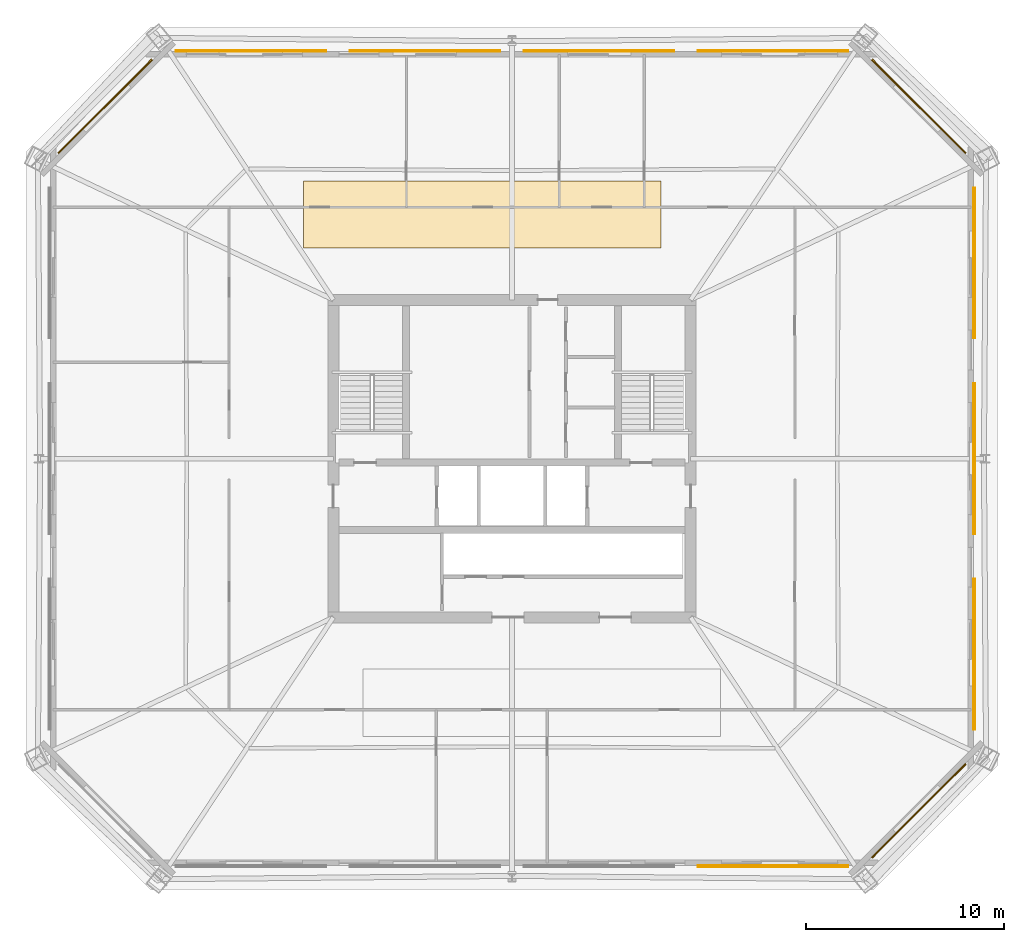
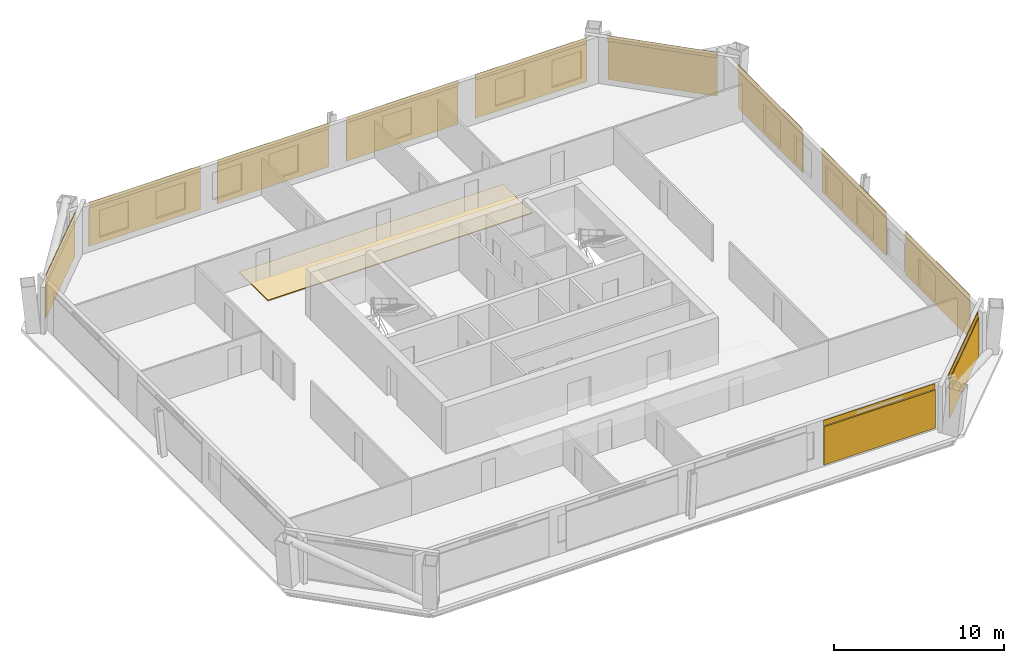
# One storey, part 7 of 7: 12 coverings, 11 shading devices.
"""IFC4 building model written with IfcOpenShell, lengths in metres."""

from ifc_helpers import new_model, si_unit, direction, frame, origin, origin_2d, place, context, subcontext, project, spatial, polyline, rectangle, outline, extrude, material, layer, layer_set, type_object, element, save


model = new_model("IFC4")

# Units and contexts
model_context = context("Model", 3, precision=1e-05, world=origin(), true_north=direction((0.0, 1.0)))
body_context = subcontext(model_context, "Body", "Model", "MODEL_VIEW")
ifc_project = project(units=[si_unit("LENGTHUNIT", "METRE"), si_unit("AREAUNIT", "SQUARE_METRE"), si_unit("VOLUMEUNIT", "CUBIC_METRE"), si_unit("PLANEANGLEUNIT", "RADIAN"), si_unit("MASSUNIT", "GRAM", prefix="KILO")], contexts=[model_context])

# Site, building, storey
site_placement = place(None, origin())
site = spatial("IfcSite", under=ifc_project, at=site_placement, CompositionType="ELEMENT")
building_placement = place(site_placement, origin())
building = spatial("IfcBuilding", under=site, at=building_placement, Name="Caelvoria Tower", CompositionType="ELEMENT")
storey_placement = place(building_placement, frame((0.0, 0.0, 156.39990234375)))
storey = spatial("IfcBuildingStorey", under=building, at=storey_placement, Name="L41", CompositionType="ELEMENT", Elevation=156.39990234375)

# Coverings
ifc_material_1 = material(Name="Perforated Architectural Bronze Cladding Screen", Category="bronze")
ifc_layer_1 = layer(ifc_material_1, 0.0400390625, Name="Perforated Architectural Bronze Cladding Screen")
ifc_layer_set_1 = layer_set([ifc_layer_1], Name="Perforated Bronze Louvre Cladding Band 40 - Perforated Architectural Bronze Cladding Screen")
covering_type_1 = type_object("IfcCoveringType", Name="Perforated Bronze Louvre Cladding Band 40", PredefinedType="CLADDING", material=ifc_layer_set_1)
covering_1_placement = place(storey_placement, frame((59.155029296875, 11.47802734375, 2.940185546875), z_axis=(0.0, 0.0, 1.0), x_axis=(1.0, 0.0, 0.0)))
element("IfcCovering", 1, at=covering_1_placement, inside=storey, type_object=covering_type_1, Name="Perforated Bronze Screen Band L41-E0-03", PredefinedType="CLADDING", context=body_context, shape_type="SweptSolid", body=[
    extrude(rectangle(XDim=7.60009765625, YDim=0.0400390625, at=origin_2d()), origin(), (0.0, 0.0, 1.0), 0.39990234375),
])
covering_2_placement = place(storey_placement, frame((66.481689453125, 14.268310546875, 2.940185546875), z_axis=(0.0, 0.0, 1.0), x_axis=(0.707106781187, 0.707106781187, 0.0)))
element("IfcCovering", 2, at=covering_2_placement, inside=storey, type_object=covering_type_1, Name="Perforated Bronze Screen Band L41-E1-00", PredefinedType="CLADDING", context=body_context, shape_type="SweptSolid", body=[
    extrude(rectangle(XDim=6.6787109375, YDim=0.0400390625, at=origin_2d()), origin(), (0.0, 0.0, 1.0), 0.39990234375),
])
for number, where, z_axis, x_axis, name in (
    (3, (69.27197265625, 22.139892578125, 2.940185546875), (0.0, 0.0, 1.0), (0.0, 1.0, 0.0), "Perforated Bronze Screen Band L41-E2-00"),
    (4, (69.27197265625, 32.0, 2.940185546875), (0.0, 0.0, 1.0), (0.0, 1.0, 0.0), "Perforated Bronze Screen Band L41-E2-01"),
    (5, (69.27197265625, 41.860107421875, 2.940185546875), (0.0, 0.0, 1.0), (0.0, 1.0, 0.0), "Perforated Bronze Screen Band L41-E2-02"),
):
    element("IfcCovering", number, at=place(storey_placement, frame(where, z_axis=z_axis, x_axis=x_axis)), inside=storey, type_object=covering_type_1, Name=name, PredefinedType="CLADDING", context=body_context, shape_type="SweptSolid", body=[
        extrude(rectangle(XDim=7.60009765625, YDim=0.0400390625, at=origin_2d()), origin(), (0.0, 0.0, 1.0), 0.39990234375),
    ])
covering_3_placement = place(storey_placement, frame((66.481689453125, 49.731689453125, 2.940185546875), z_axis=(0.0, 0.0, 1.0), x_axis=(-0.707106781187, 0.707106781187, 0.0)))
element("IfcCovering", 6, at=covering_3_placement, inside=storey, type_object=covering_type_1, Name="Perforated Bronze Screen Band L41-E3-00", PredefinedType="CLADDING", context=body_context, shape_type="SweptSolid", body=[
    extrude(rectangle(XDim=6.6787109375, YDim=0.0400390625, at=origin_2d()), origin(), (0.0, 0.0, 1.0), 0.39990234375),
])
for number, where, z_axis, x_axis, name in (
    (7, (59.155029296875, 52.52197265625, 2.940185546875), (0.0, 0.0, 1.0), (-1.0, 0.0, 0.0), "Perforated Bronze Screen Band L41-E4-00"),
    (8, (50.385009765625, 52.52197265625, 2.940185546875), (0.0, 0.0, 1.0), (-1.0, 0.0, 0.0), "Perforated Bronze Screen Band L41-E4-01"),
    (9, (41.614990234375, 52.52197265625, 2.940185546875), (0.0, 0.0, 1.0), (-1.0, 0.0, 0.0), "Perforated Bronze Screen Band L41-E4-02"),
    (10, (32.844970703125, 52.52197265625, 2.940185546875), (0.0, 0.0, 1.0), (-1.0, 0.0, 0.0), "Perforated Bronze Screen Band L41-E4-03"),
):
    element("IfcCovering", number, at=place(storey_placement, frame(where, z_axis=z_axis, x_axis=x_axis)), inside=storey, type_object=covering_type_1, Name=name, PredefinedType="CLADDING", context=body_context, shape_type="SweptSolid", body=[
        extrude(rectangle(XDim=7.60009765625, YDim=0.0400390625, at=origin_2d()), origin(), (0.0, 0.0, 1.0), 0.39990234375),
    ])
covering_4_placement = place(storey_placement, frame((25.518310546875, 49.731689453125, 2.940185546875), z_axis=(0.0, 0.0, 1.0), x_axis=(-0.707106781187, -0.707106781187, 0.0)))
element("IfcCovering", 11, at=covering_4_placement, inside=storey, type_object=covering_type_1, Name="Perforated Bronze Screen Band L41-E5-00", PredefinedType="CLADDING", context=body_context, shape_type="SweptSolid", body=[
    extrude(rectangle(XDim=6.6787109375, YDim=0.0400390625, at=origin_2d()), origin(), (0.0, 0.0, 1.0), 0.39990234375),
])

# Shading devices
ifc_material_2 = material(Name="Perforated Architectural Bronze Alloy Panel", Category="bronze")
ifc_layer_2 = layer(ifc_material_2, 0.044921875, Name="Perforated Architectural Bronze Alloy Panel")
ifc_layer_set_2 = layer_set([ifc_layer_2], Name="Perforated Bronze Solar Screen Panel SCREEN - Perforated Architectural Bronze Alloy Panel")
shading_device_type = type_object("IfcShadingDeviceType", Name="Perforated Bronze Solar Screen Panel SCREEN", PredefinedType="USERDEFINED", material=ifc_layer_set_2)
shading_device_1_placement = place(storey_placement, frame((59.155029296875, 11.43505859375, 0.16015625), z_axis=(0.0, 0.0, 1.0), x_axis=(1.0, 0.0, 0.0)))
element("IfcShadingDevice", 12, at=shading_device_1_placement, inside=storey, type_object=shading_device_type, Name="Perforated Bronze Solar Screen L41-E0-03", ObjectType="SCREEN", PredefinedType="USERDEFINED", context=body_context, shape_type="SweptSolid", body=[
    extrude(rectangle(XDim=7.60009765625, YDim=0.044921875, at=origin_2d()), origin(), (0.0, 0.0, 1.0), 2.75),
])
shading_device_2_placement = place(storey_placement, frame((66.51220703125, 14.23779296875, 0.16015625), z_axis=(0.0, 0.0, 1.0), x_axis=(0.707106781187, 0.707106781187, 0.0)))
element("IfcShadingDevice", 13, at=shading_device_2_placement, inside=storey, type_object=shading_device_type, Name="Perforated Bronze Solar Screen L41-E1-00", ObjectType="SCREEN", PredefinedType="USERDEFINED", context=body_context, shape_type="SweptSolid", body=[
    extrude(rectangle(XDim=6.6787109375, YDim=0.044921875, at=origin_2d()), origin(), (0.0, 0.0, 1.0), 2.75),
])
for number, where, z_axis, x_axis, name in (
    (14, (69.31494140625, 22.139892578125, 0.16015625), (0.0, 0.0, 1.0), (0.0, 1.0, 0.0), "Perforated Bronze Solar Screen L41-E2-00"),
    (15, (69.31494140625, 32.0, 0.16015625), (0.0, 0.0, 1.0), (0.0, 1.0, 0.0), "Perforated Bronze Solar Screen L41-E2-01"),
    (16, (69.31494140625, 41.860107421875, 0.16015625), (0.0, 0.0, 1.0), (0.0, 1.0, 0.0), "Perforated Bronze Solar Screen L41-E2-02"),
):
    element("IfcShadingDevice", number, at=place(storey_placement, frame(where, z_axis=z_axis, x_axis=x_axis)), inside=storey, type_object=shading_device_type, Name=name, ObjectType="SCREEN", PredefinedType="USERDEFINED", context=body_context, shape_type="SweptSolid", body=[
        extrude(rectangle(XDim=7.60009765625, YDim=0.044921875, at=origin_2d()), origin(), (0.0, 0.0, 1.0), 2.75),
    ])
shading_device_3_placement = place(storey_placement, frame((66.51220703125, 49.76220703125, 0.16015625), z_axis=(0.0, 0.0, 1.0), x_axis=(-0.707106781187, 0.707106781187, 0.0)))
element("IfcShadingDevice", 17, at=shading_device_3_placement, inside=storey, type_object=shading_device_type, Name="Perforated Bronze Solar Screen L41-E3-00", ObjectType="SCREEN", PredefinedType="USERDEFINED", context=body_context, shape_type="SweptSolid", body=[
    extrude(rectangle(XDim=6.6787109375, YDim=0.044921875, at=origin_2d()), origin(), (0.0, 0.0, 1.0), 2.75),
])
for number, where, z_axis, x_axis, name in (
    (18, (59.155029296875, 52.56494140625, 0.16015625), (0.0, 0.0, 1.0), (-1.0, 0.0, 0.0), "Perforated Bronze Solar Screen L41-E4-00"),
    (19, (50.385009765625, 52.56494140625, 0.16015625), (0.0, 0.0, 1.0), (-1.0, 0.0, 0.0), "Perforated Bronze Solar Screen L41-E4-01"),
    (20, (41.614990234375, 52.56494140625, 0.16015625), (0.0, 0.0, 1.0), (-1.0, 0.0, 0.0), "Perforated Bronze Solar Screen L41-E4-02"),
    (21, (32.844970703125, 52.56494140625, 0.16015625), (0.0, 0.0, 1.0), (-1.0, 0.0, 0.0), "Perforated Bronze Solar Screen L41-E4-03"),
):
    element("IfcShadingDevice", number, at=place(storey_placement, frame(where, z_axis=z_axis, x_axis=x_axis)), inside=storey, type_object=shading_device_type, Name=name, ObjectType="SCREEN", PredefinedType="USERDEFINED", context=body_context, shape_type="SweptSolid", body=[
        extrude(rectangle(XDim=7.60009765625, YDim=0.044921875, at=origin_2d()), origin(), (0.0, 0.0, 1.0), 2.75),
    ])
shading_device_4_placement = place(storey_placement, frame((25.48779296875, 49.76220703125, 0.16015625), z_axis=(0.0, 0.0, 1.0), x_axis=(-0.707106781187, -0.707106781187, 0.0)))
element("IfcShadingDevice", 22, at=shading_device_4_placement, inside=storey, type_object=shading_device_type, Name="Perforated Bronze Solar Screen L41-E5-00", ObjectType="SCREEN", PredefinedType="USERDEFINED", context=body_context, shape_type="SweptSolid", body=[
    extrude(rectangle(XDim=6.6787109375, YDim=0.044921875, at=origin_2d()), origin(), (0.0, 0.0, 1.0), 2.75),
])

# Covering
ifc_material_3 = material(Name="Calcium-Sulphate Raised Floor Tile", Category="gypsum")
ifc_layer_3 = layer(ifc_material_3, 0.06005859375, Name="Calcium-Sulphate Raised Floor Tile")
ifc_layer_set_3 = layer_set([ifc_layer_3], Name="Raised Access Office Floor System 120 - Calcium-Sulphate Raised Floor Tile")
covering_type_2 = type_object("IfcCoveringType", Name="Raised Access Office Floor System 120", PredefinedType="FLOORING", material=ifc_layer_set_3)
covering_5_placement = place(storey_placement, origin())
element("IfcCovering", 23, at=covering_5_placement, inside=storey, type_object=covering_type_2, Name="Raised Access Flooring L41", PredefinedType="FLOORING", context=body_context, shape_type="SweptSolid", body=[
    extrude(outline(polyline([(35.5, 42.60009765625), (53.5, 42.60009765625), (53.5, 46.0), (35.5, 46.0), (35.5, 42.60009765625)])), origin(), (0.0, 0.0, 1.0), 0.06005859375),
])

save(model, "model.ifc")
